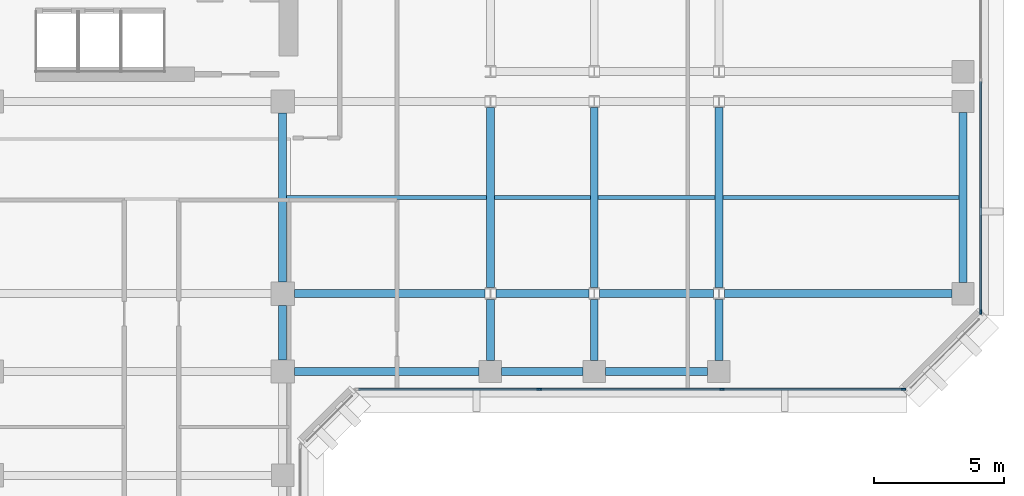
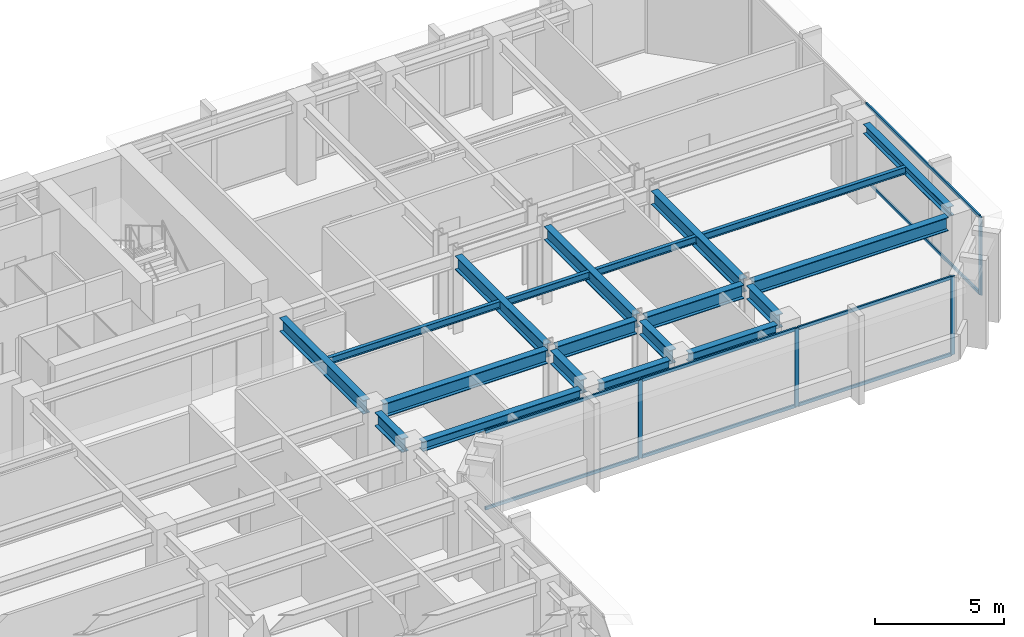
# One storey, part 3 of 11: 20 beams, 12 members, 2 elements without a shape of their own.
"""IFC4 building model written with IfcOpenShell, lengths in metres."""

from ifc_helpers import new_model, si_unit, direction, frame, origin, origin_2d, place, context, subcontext, project, spatial, rectangle, i_section, extrude, material, layer, layer_set, material_profile, profile_set, type_object, element, aggregate, save


model = new_model("IFC4")

# Units and contexts
model_context = context("Model", 3, precision=1e-05, world=origin(), true_north=direction((0.0, 1.0)))
body_context = subcontext(model_context, "Body", "Model", "MODEL_VIEW")
ifc_project = project(units=[si_unit("LENGTHUNIT", "METRE"), si_unit("AREAUNIT", "SQUARE_METRE"), si_unit("VOLUMEUNIT", "CUBIC_METRE"), si_unit("PLANEANGLEUNIT", "RADIAN"), si_unit("MASSUNIT", "GRAM", prefix="KILO")], contexts=[model_context])

# Site, building, storey
site_placement = place(None, origin())
site = spatial("IfcSite", under=ifc_project, at=site_placement, CompositionType="ELEMENT")
building_placement = place(site_placement, origin())
building = spatial("IfcBuilding", under=site, at=building_placement, Name="Kefirva Bronze Tower", CompositionType="ELEMENT")
storey_placement = place(building_placement, frame((0.0, 0.0, 179.52001953125)))
storey = spatial("IfcBuildingStorey", under=building, at=storey_placement, Name="L43", CompositionType="ELEMENT", Elevation=179.52001953125)

# Curtain wall, members
ifc_material_1 = material(Name="Bronze anodised aluminium", Category="aluminium")
ifc_layer = layer(ifc_material_1, 0.199951171875, Name="Bronze anodised aluminium")
ifc_layer_set = layer_set([ifc_layer], Name="Bronze anodised aluminium")
curtain_wall_type = type_object("IfcCurtainWallType", Name="Unitised Bronze Ribbon Curtain Wall Zone 2", PredefinedType="USERDEFINED", material=ifc_layer_set)
curtain_wall_1_placement = place(storey_placement, origin())
curtain_wall_1 = element("IfcCurtainWall", 1, at=curtain_wall_1_placement, inside=storey, type_object=curtain_wall_type, Name="L43 Curtain Wall 3", ObjectType="UNITISED CURTAIN WALL", PredefinedType="USERDEFINED")
ifc_material_profile_1 = material_profile(ifc_material_1, rectangle(XDim=0.074951171875, YDim=0.179931640625, at=origin_2d()), Name="ALU 75x180")
ifc_profile_set_1 = profile_set([ifc_material_profile_1], Name="Bronze anodised aluminium")
member_type_1 = type_object("IfcMemberType", Name="Bronze Mullion 75x180", PredefinedType="MULLION", material=ifc_profile_set_1)
member_1_placement = place(storey_placement, frame((33.0849609375, 22.1201171875, 0.0), z_axis=(0.0, 0.0, 1.0), x_axis=(0.0, 1.0, 0.0)))
member_1 = element("IfcMember", 2, at=member_1_placement, type_object=member_type_1, Name="CW-02 mullion 2", PredefinedType="MULLION", context=body_context, shape_type="SweptSolid", body=[
    extrude(rectangle(XDim=0.074951171875, YDim=0.179931640625, at=origin_2d()), origin(), (0.0, 0.0, 1.0), 3.7099609375),
])
member_2_placement = place(storey_placement, frame((40.114990234375, 22.1201171875, 0.0), z_axis=(0.0, 0.0, 1.0), x_axis=(0.0, 1.0, 0.0)))
member_2 = element("IfcMember", 3, at=member_2_placement, type_object=member_type_1, Name="CW-02 mullion 3", PredefinedType="MULLION", context=body_context, shape_type="SweptSolid", body=[
    extrude(rectangle(XDim=0.074951171875, YDim=0.179931640625, at=origin_2d()), origin(), (0.0, 0.0, 1.0), 3.7099609375),
])
member_3_placement = place(storey_placement, frame((47.107421875, 22.1201171875, 0.0), z_axis=(0.0, 0.0, 1.0), x_axis=(0.0, 1.0, 0.0)))
member_3 = element("IfcMember", 4, at=member_3_placement, type_object=member_type_1, Name="CW-02 mullion 4", PredefinedType="MULLION", context=body_context, shape_type="SweptSolid", body=[
    extrude(rectangle(XDim=0.074951171875, YDim=0.179931640625, at=origin_2d()), origin(), (0.0, 0.0, 1.0), 3.7099609375),
])

# Curtain wall, member
curtain_wall_2_placement = place(storey_placement, origin())
curtain_wall_2 = element("IfcCurtainWall", 5, at=curtain_wall_2_placement, inside=storey, type_object=curtain_wall_type, Name="L43 Curtain Wall 4", ObjectType="UNITISED CURTAIN WALL", PredefinedType="USERDEFINED")
member_4_placement = place(storey_placement, frame((50.080078125, 25.092529296875, 0.0), z_axis=(0.0, 0.0, 1.0), x_axis=(-1.0, 0.0, 0.0)))
member_4 = element("IfcMember", 6, at=member_4_placement, type_object=member_type_1, Name="CW-02 mullion 1", PredefinedType="MULLION", context=body_context, shape_type="SweptSolid", body=[
    extrude(rectangle(XDim=0.074951171875, YDim=0.179931640625, at=origin_2d()), origin(), (0.0, 0.0, 1.0), 3.7099609375),
])

# Member
ifc_material_profile_2 = material_profile(ifc_material_1, rectangle(XDim=0.074951171875, YDim=0.14990234375, at=origin_2d()), Name="ALU 75x150")
ifc_profile_set_2 = profile_set([ifc_material_profile_2], Name="Bronze anodised aluminium")
member_type_2 = type_object("IfcMemberType", Name="Bronze Transom 75x150", PredefinedType="USERDEFINED", material=ifc_profile_set_2)
member_5_placement = place(storey_placement, frame((26.1298828125, 22.1201171875, 0.03759765625), z_axis=(1.0, 0.0, 0.0), x_axis=(0.0, 1.0, 0.0)))
member_5 = element("IfcMember", 7, at=member_5_placement, type_object=member_type_2, Name="CW-02 transom 1.1", ObjectType="TRANSOM", PredefinedType="USERDEFINED", context=body_context, shape_type="SweptSolid", body=[
    extrude(rectangle(XDim=0.074951171875, YDim=0.14990234375, at=origin_2d()), origin(), (0.0, 0.0, 1.0), 6.917724609375),
])

member_6_placement = place(storey_placement, frame((26.1298828125, 22.1201171875, 3.67236328125), z_axis=(1.0, 0.0, 0.0), x_axis=(0.0, 1.0, 0.0)))
member_6 = element("IfcMember", 8, at=member_6_placement, type_object=member_type_2, Name="CW-02 transom 1.2", ObjectType="TRANSOM", PredefinedType="USERDEFINED", context=body_context, shape_type="SweptSolid", body=[
    extrude(rectangle(XDim=0.074951171875, YDim=0.14990234375, at=origin_2d()), origin(), (0.0, 0.0, 1.0), 6.917724609375),
])

member_7_placement = place(storey_placement, frame((33.12255859375, 22.1201171875, 0.03759765625), z_axis=(1.0, 0.0, 0.0), x_axis=(0.0, 1.0, 0.0)))
member_7 = element("IfcMember", 9, at=member_7_placement, type_object=member_type_2, Name="CW-02 transom 2.1", ObjectType="TRANSOM", PredefinedType="USERDEFINED", context=body_context, shape_type="SweptSolid", body=[
    extrude(rectangle(XDim=0.074951171875, YDim=0.14990234375, at=origin_2d()), origin(), (0.0, 0.0, 1.0), 6.954833984375),
])

member_8_placement = place(storey_placement, frame((33.12255859375, 22.1201171875, 3.67236328125), z_axis=(1.0, 0.0, 0.0), x_axis=(0.0, 1.0, 0.0)))
member_8 = element("IfcMember", 10, at=member_8_placement, type_object=member_type_2, Name="CW-02 transom 2.2", ObjectType="TRANSOM", PredefinedType="USERDEFINED", context=body_context, shape_type="SweptSolid", body=[
    extrude(rectangle(XDim=0.074951171875, YDim=0.14990234375, at=origin_2d()), origin(), (0.0, 0.0, 1.0), 6.954833984375),
])

member_9_placement = place(storey_placement, frame((40.152587890625, 22.1201171875, 0.03759765625), z_axis=(1.0, 0.0, 0.0), x_axis=(0.0, 1.0, 0.0)))
member_9 = element("IfcMember", 11, at=member_9_placement, type_object=member_type_2, Name="CW-02 transom 3.1", ObjectType="TRANSOM", PredefinedType="USERDEFINED", context=body_context, shape_type="SweptSolid", body=[
    extrude(rectangle(XDim=0.074951171875, YDim=0.14990234375, at=origin_2d()), origin(), (0.0, 0.0, 1.0), 6.91748046875),
])

member_10_placement = place(storey_placement, frame((40.152587890625, 22.1201171875, 3.67236328125), z_axis=(1.0, 0.0, 0.0), x_axis=(0.0, 1.0, 0.0)))
member_10 = element("IfcMember", 12, at=member_10_placement, type_object=member_type_2, Name="CW-02 transom 3.2", ObjectType="TRANSOM", PredefinedType="USERDEFINED", context=body_context, shape_type="SweptSolid", body=[
    extrude(rectangle(XDim=0.074951171875, YDim=0.14990234375, at=origin_2d()), origin(), (0.0, 0.0, 1.0), 6.91748046875),
])

aggregate(curtain_wall_1, [member_1, member_2, member_3, member_5, member_6, member_7, member_8, member_9, member_10])

member_11_placement = place(storey_placement, frame((50.080078125, 25.1298828125, 0.03759765625), z_axis=(0.0, 1.0, 0.0), x_axis=(-1.0, 0.0, 0.0)))
member_11 = element("IfcMember", 13, at=member_11_placement, type_object=member_type_2, Name="CW-02 transom 1.1", ObjectType="TRANSOM", PredefinedType="USERDEFINED", context=body_context, shape_type="SweptSolid", body=[
    extrude(rectangle(XDim=0.074951171875, YDim=0.14990234375, at=origin_2d()), origin(), (0.0, 0.0, 1.0), 8.83251953125),
])

member_12_placement = place(storey_placement, frame((50.080078125, 25.1298828125, 3.67236328125), z_axis=(0.0, 1.0, 0.0), x_axis=(-1.0, 0.0, 0.0)))
member_12 = element("IfcMember", 14, at=member_12_placement, type_object=member_type_2, Name="CW-02 transom 1.2", ObjectType="TRANSOM", PredefinedType="USERDEFINED", context=body_context, shape_type="SweptSolid", body=[
    extrude(rectangle(XDim=0.074951171875, YDim=0.14990234375, at=origin_2d()), origin(), (0.0, 0.0, 1.0), 8.83251953125),
])

aggregate(curtain_wall_2, [member_4, member_11, member_12])

# Beams
ifc_material_2 = material(Name="Steel S355", Category="steel")
ifc_material_profile_3 = material_profile(ifc_material_2, i_section(OverallWidth=0.159912109375, OverallDepth=0.330078125, WebThickness=0.007568359375, FlangeThickness=0.011474609375, at=origin_2d()), Name="IPE 330")
ifc_profile_set_3 = profile_set([ifc_material_profile_3], Name="Steel S355")
beam_type_1 = type_object("IfcBeamType", Name="Steel Floor Joist IPE 330", PredefinedType="JOIST", material=ifc_profile_set_3)
beam_1_placement = place(storey_placement, frame((23.35009765625, 29.5, 3.544921875), z_axis=(1.0, 0.0, 0.0), x_axis=(0.0, 1.0, 0.0)))
element("IfcBeam", 15, at=beam_1_placement, inside=storey, type_object=beam_type_1, Name="L43 JST-L43-23-295", PredefinedType="JOIST", context=body_context, shape_type="SweptSolid", body=[
    extrude(i_section(OverallWidth=0.159912109375, OverallDepth=0.330078125, WebThickness=0.007568359375, FlangeThickness=0.011474609375, at=origin_2d()), origin(), (0.0, 0.0, 1.0), 7.699951171875),
])
beam_2_placement = place(storey_placement, frame((31.35009765625, 29.5, 3.544921875), z_axis=(1.0, 0.0, 0.0), x_axis=(0.0, 1.0, 0.0)))
element("IfcBeam", 16, at=beam_2_placement, inside=storey, type_object=beam_type_1, Name="L43 JST-L43-31-295", PredefinedType="JOIST", context=body_context, shape_type="SweptSolid", body=[
    extrude(i_section(OverallWidth=0.159912109375, OverallDepth=0.330078125, WebThickness=0.007568359375, FlangeThickness=0.011474609375, at=origin_2d()), origin(), (0.0, 0.0, 1.0), 3.699951171875),
])
beam_3_placement = place(storey_placement, frame((35.35009765625, 29.5, 3.544921875), z_axis=(1.0, 0.0, 0.0), x_axis=(0.0, 1.0, 0.0)))
element("IfcBeam", 17, at=beam_3_placement, inside=storey, type_object=beam_type_1, Name="L43 JST-L43-35-295", PredefinedType="JOIST", context=body_context, shape_type="SweptSolid", body=[
    extrude(i_section(OverallWidth=0.159912109375, OverallDepth=0.330078125, WebThickness=0.007568359375, FlangeThickness=0.011474609375, at=origin_2d()), origin(), (0.0, 0.0, 1.0), 4.5),
])
beam_4_placement = place(storey_placement, frame((40.14990234375, 29.5, 3.544921875), z_axis=(1.0, 0.0, 0.0), x_axis=(0.0, 1.0, 0.0)))
element("IfcBeam", 18, at=beam_4_placement, inside=storey, type_object=beam_type_1, Name="L43 JST-L43-40-295", PredefinedType="JOIST", context=body_context, shape_type="SweptSolid", body=[
    extrude(i_section(OverallWidth=0.159912109375, OverallDepth=0.330078125, WebThickness=0.007568359375, FlangeThickness=0.011474609375, at=origin_2d()), origin(), (0.0, 0.0, 1.0), 9.10009765625),
])
ifc_material_profile_4 = material_profile(ifc_material_2, i_section(OverallWidth=0.300048828125, OverallDepth=0.64990234375, WebThickness=0.01611328125, FlangeThickness=0.031005859375, at=origin_2d()), Name="HEB 650")
ifc_profile_set_4 = profile_set([ifc_material_profile_4], Name="Steel S355")
beam_type_2 = type_object("IfcBeamType", Name="Steel Girder HEB 650", PredefinedType="USERDEFINED", material=ifc_profile_set_4)
beam_5_placement = place(storey_placement, frame((23.64990234375, 25.800048828125, 3.385009765625), z_axis=(1.0, 0.0, 0.0), x_axis=(0.0, 1.0, 0.0)))
element("IfcBeam", 19, at=beam_5_placement, inside=storey, type_object=beam_type_2, Name="L43 BM-L43-EW-23-258", ObjectType="GIRDER", PredefinedType="USERDEFINED", context=body_context, shape_type="SweptSolid", body=[
    extrude(i_section(OverallWidth=0.300048828125, OverallDepth=0.64990234375, WebThickness=0.01611328125, FlangeThickness=0.031005859375, at=origin_2d()), origin(), (0.0, 0.0, 1.0), 7.341064453125),
])
beam_6_placement = place(storey_placement, frame((31.408935546875, 25.800048828125, 3.385009765625), z_axis=(1.0, 0.0, 0.0), x_axis=(0.0, 1.0, 0.0)))
element("IfcBeam", 20, at=beam_6_placement, inside=storey, type_object=beam_type_2, Name="L43 BM-L43-EW-31-258", ObjectType="GIRDER", PredefinedType="USERDEFINED", context=body_context, shape_type="SweptSolid", body=[
    extrude(i_section(OverallWidth=0.300048828125, OverallDepth=0.64990234375, WebThickness=0.01611328125, FlangeThickness=0.031005859375, at=origin_2d()), origin(), (0.0, 0.0, 1.0), 3.58203125),
])
beam_7_placement = place(storey_placement, frame((35.408935546875, 25.800048828125, 3.385009765625), z_axis=(1.0, 0.0, 0.0), x_axis=(0.0, 1.0, 0.0)))
element("IfcBeam", 21, at=beam_7_placement, inside=storey, type_object=beam_type_2, Name="L43 BM-L43-EW-35-258", ObjectType="GIRDER", PredefinedType="USERDEFINED", context=body_context, shape_type="SweptSolid", body=[
    extrude(i_section(OverallWidth=0.300048828125, OverallDepth=0.64990234375, WebThickness=0.01611328125, FlangeThickness=0.031005859375, at=origin_2d()), origin(), (0.0, 0.0, 1.0), 4.382080078125),
])
beam_8_placement = place(storey_placement, frame((40.208984375, 25.800048828125, 3.385009765625), z_axis=(1.0, 0.0, 0.0), x_axis=(0.0, 1.0, 0.0)))
element("IfcBeam", 22, at=beam_8_placement, inside=storey, type_object=beam_type_2, Name="L43 BM-L43-EW-40-258", ObjectType="GIRDER", PredefinedType="USERDEFINED", context=body_context, shape_type="SweptSolid", body=[
    extrude(i_section(OverallWidth=0.300048828125, OverallDepth=0.64990234375, WebThickness=0.01611328125, FlangeThickness=0.031005859375, at=origin_2d()), origin(), (0.0, 0.0, 1.0), 8.760986328125),
])
beam_9_placement = place(storey_placement, frame((23.199951171875, 23.25, 3.385009765625), z_axis=(0.0, 1.0, 0.0), x_axis=(-1.0, 0.0, 0.0)))
element("IfcBeam", 23, at=beam_9_placement, inside=storey, type_object=beam_type_2, Name="L43 BM-L43-NS-232-22", ObjectType="GIRDER", PredefinedType="USERDEFINED", context=body_context, shape_type="SweptSolid", body=[
    extrude(i_section(OverallWidth=0.300048828125, OverallDepth=0.64990234375, WebThickness=0.01611328125, FlangeThickness=0.031005859375, at=origin_2d()), origin(), (0.0, 0.0, 1.0), 2.10009765625),
])
beam_10_placement = place(storey_placement, frame((23.199951171875, 26.25, 3.385009765625), z_axis=(0.0, 1.0, 0.0), x_axis=(-1.0, 0.0, 0.0)))
element("IfcBeam", 24, at=beam_10_placement, inside=storey, type_object=beam_type_2, Name="L43 BM-L43-NS-232-25", ObjectType="GIRDER", PredefinedType="USERDEFINED", context=body_context, shape_type="SweptSolid", body=[
    extrude(i_section(OverallWidth=0.300048828125, OverallDepth=0.64990234375, WebThickness=0.01611328125, FlangeThickness=0.031005859375, at=origin_2d()), origin(), (0.0, 0.0, 1.0), 6.5),
])
beam_11_placement = place(storey_placement, frame((31.199951171875, 23.22998046875, 3.385009765625), z_axis=(0.0, 1.0, 0.0), x_axis=(-1.0, 0.0, 0.0)))
element("IfcBeam", 25, at=beam_11_placement, inside=storey, type_object=beam_type_2, Name="L43 BM-L43-NS-312-22", ObjectType="GIRDER", PredefinedType="USERDEFINED", context=body_context, shape_type="SweptSolid", body=[
    extrude(i_section(OverallWidth=0.300048828125, OverallDepth=0.64990234375, WebThickness=0.01611328125, FlangeThickness=0.031005859375, at=origin_2d()), origin(), (0.0, 0.0, 1.0), 2.342529296875),
])
beam_12_placement = place(storey_placement, frame((31.199951171875, 26.027587890625, 3.385009765625), z_axis=(0.0, 1.0, 0.0), x_axis=(-1.0, 0.0, 0.0)))
element("IfcBeam", 26, at=beam_12_placement, inside=storey, type_object=beam_type_2, Name="L43 BM-L43-NS-312-25", ObjectType="GIRDER", PredefinedType="USERDEFINED", context=body_context, shape_type="SweptSolid", body=[
    extrude(i_section(OverallWidth=0.300048828125, OverallDepth=0.64990234375, WebThickness=0.01611328125, FlangeThickness=0.031005859375, at=origin_2d()), origin(), (0.0, 0.0, 1.0), 6.94482421875),
])
beam_13_placement = place(storey_placement, frame((35.199951171875, 23.22998046875, 3.385009765625), z_axis=(0.0, 1.0, 0.0), x_axis=(-1.0, 0.0, 0.0)))
element("IfcBeam", 27, at=beam_13_placement, inside=storey, type_object=beam_type_2, Name="L43 BM-L43-NS-352-22", ObjectType="GIRDER", PredefinedType="USERDEFINED", context=body_context, shape_type="SweptSolid", body=[
    extrude(i_section(OverallWidth=0.300048828125, OverallDepth=0.64990234375, WebThickness=0.01611328125, FlangeThickness=0.031005859375, at=origin_2d()), origin(), (0.0, 0.0, 1.0), 2.342529296875),
])
beam_14_placement = place(storey_placement, frame((35.199951171875, 26.027587890625, 3.385009765625), z_axis=(0.0, 1.0, 0.0), x_axis=(-1.0, 0.0, 0.0)))
element("IfcBeam", 28, at=beam_14_placement, inside=storey, type_object=beam_type_2, Name="L43 BM-L43-NS-352-25", ObjectType="GIRDER", PredefinedType="USERDEFINED", context=body_context, shape_type="SweptSolid", body=[
    extrude(i_section(OverallWidth=0.300048828125, OverallDepth=0.64990234375, WebThickness=0.01611328125, FlangeThickness=0.031005859375, at=origin_2d()), origin(), (0.0, 0.0, 1.0), 6.94482421875),
])
beam_15_placement = place(storey_placement, frame((40.0, 23.22998046875, 3.385009765625), z_axis=(0.0, 1.0, 0.0), x_axis=(-1.0, 0.0, 0.0)))
element("IfcBeam", 29, at=beam_15_placement, inside=storey, type_object=beam_type_2, Name="L43 BM-L43-NS-400-22", ObjectType="GIRDER", PredefinedType="USERDEFINED", context=body_context, shape_type="SweptSolid", body=[
    extrude(i_section(OverallWidth=0.300048828125, OverallDepth=0.64990234375, WebThickness=0.01611328125, FlangeThickness=0.031005859375, at=origin_2d()), origin(), (0.0, 0.0, 1.0), 2.342529296875),
])
beam_16_placement = place(storey_placement, frame((40.0, 26.027587890625, 3.385009765625), z_axis=(0.0, 1.0, 0.0), x_axis=(-1.0, 0.0, 0.0)))
element("IfcBeam", 30, at=beam_16_placement, inside=storey, type_object=beam_type_2, Name="L43 BM-L43-NS-400-25", ObjectType="GIRDER", PredefinedType="USERDEFINED", context=body_context, shape_type="SweptSolid", body=[
    extrude(i_section(OverallWidth=0.300048828125, OverallDepth=0.64990234375, WebThickness=0.01611328125, FlangeThickness=0.031005859375, at=origin_2d()), origin(), (0.0, 0.0, 1.0), 6.94482421875),
])
ifc_material_profile_5 = material_profile(ifc_material_2, i_section(OverallWidth=0.300048828125, OverallDepth=0.449951171875, WebThickness=0.013916015625, FlangeThickness=0.02587890625, at=origin_2d()), Name="HEB 450")
ifc_profile_set_5 = profile_set([ifc_material_profile_5], Name="Steel S355")
beam_type_3 = type_object("IfcBeamType", Name="Steel Spandrel HEB 450 Ext", PredefinedType="SPANDREL", material=ifc_profile_set_5)
beam_17_placement = place(storey_placement, frame((23.64990234375, 22.800048828125, 3.48486328125), z_axis=(1.0, 0.0, 0.0), x_axis=(0.0, 1.0, 0.0)))
element("IfcBeam", 31, at=beam_17_placement, inside=storey, type_object=beam_type_3, Name="L43 BM-L43-EW-23-228", PredefinedType="SPANDREL", context=body_context, shape_type="SweptSolid", body=[
    extrude(i_section(OverallWidth=0.300048828125, OverallDepth=0.449951171875, WebThickness=0.013916015625, FlangeThickness=0.02587890625, at=origin_2d()), origin(), (0.0, 0.0, 1.0), 7.1201171875),
])
beam_18_placement = place(storey_placement, frame((31.6298828125, 22.800048828125, 3.48486328125), z_axis=(1.0, 0.0, 0.0), x_axis=(0.0, 1.0, 0.0)))
element("IfcBeam", 32, at=beam_18_placement, inside=storey, type_object=beam_type_3, Name="L43 BM-L43-EW-31-228", PredefinedType="SPANDREL", context=body_context, shape_type="SweptSolid", body=[
    extrude(i_section(OverallWidth=0.300048828125, OverallDepth=0.449951171875, WebThickness=0.013916015625, FlangeThickness=0.02587890625, at=origin_2d()), origin(), (0.0, 0.0, 1.0), 3.14013671875),
])
beam_19_placement = place(storey_placement, frame((35.6298828125, 22.800048828125, 3.48486328125), z_axis=(1.0, 0.0, 0.0), x_axis=(0.0, 1.0, 0.0)))
element("IfcBeam", 33, at=beam_19_placement, inside=storey, type_object=beam_type_3, Name="L43 BM-L43-EW-35-228", PredefinedType="SPANDREL", context=body_context, shape_type="SweptSolid", body=[
    extrude(i_section(OverallWidth=0.300048828125, OverallDepth=0.449951171875, WebThickness=0.013916015625, FlangeThickness=0.02587890625, at=origin_2d()), origin(), (0.0, 0.0, 1.0), 3.940185546875),
])
beam_20_placement = place(storey_placement, frame((49.39990234375, 26.22998046875, 3.48486328125), z_axis=(0.0, 1.0, 0.0), x_axis=(-1.0, 0.0, 0.0)))
element("IfcBeam", 34, at=beam_20_placement, inside=storey, type_object=beam_type_3, Name="L43 BM-L43-NS-494-25", PredefinedType="SPANDREL", context=body_context, shape_type="SweptSolid", body=[
    extrude(i_section(OverallWidth=0.300048828125, OverallDepth=0.449951171875, WebThickness=0.013916015625, FlangeThickness=0.02587890625, at=origin_2d()), origin(), (0.0, 0.0, 1.0), 6.5400390625),
])

save(model, "model.ifc")
